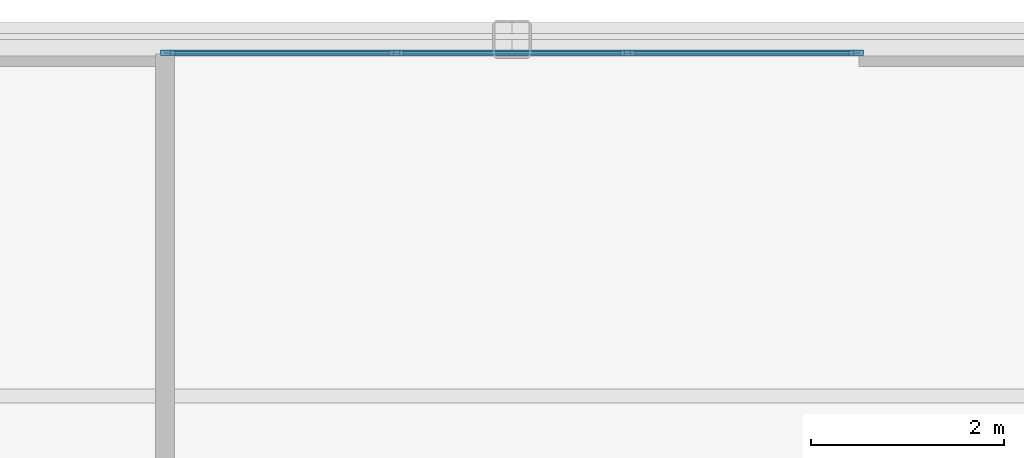
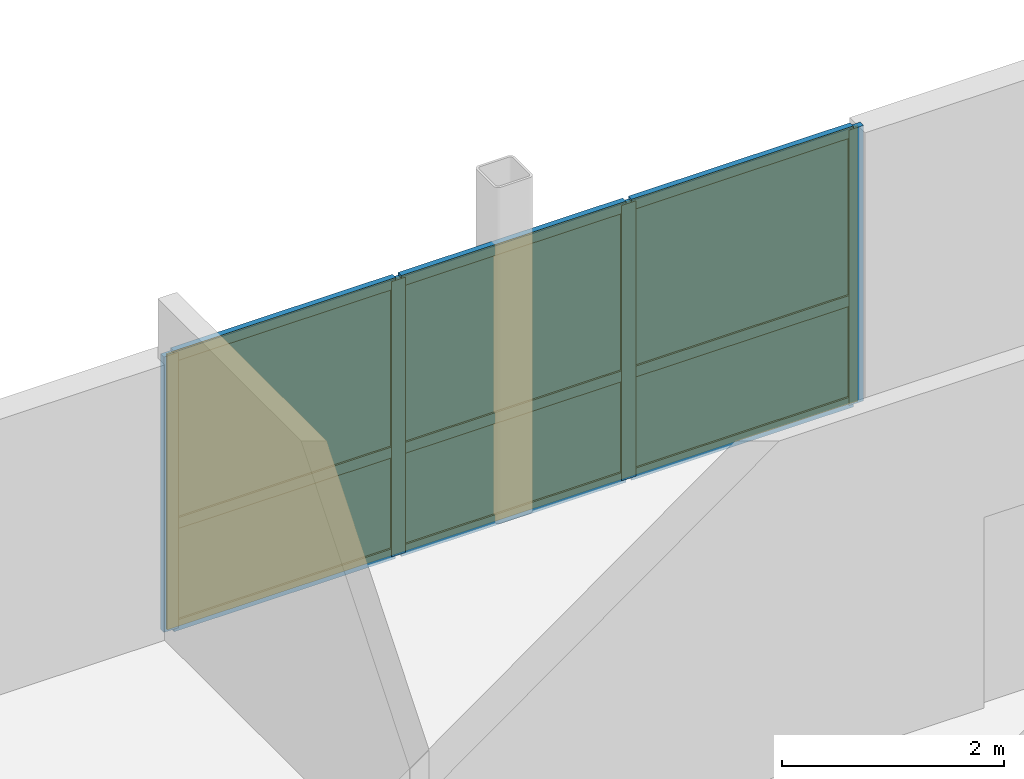
# One storey, part 6 of 10: 13 members, 6 plates, 1 curtain wall.
"""IFC4 building model written with IfcOpenShell, lengths in metres."""

from ifc_helpers import new_model, si_unit, direction, frame, frame_2d, origin, origin_2d, place, context, subcontext, project, spatial, rectangle, extrude, source, transform, mapped, material, layer, layer_set, material_profile, profile_set, type_object, type_shapes, element, aggregate, save


model = new_model("IFC4")

# Units and contexts
model_context = context("Model", 3, precision=1e-05, world=origin(), true_north=direction((0.0, 1.0)))
body_context = subcontext(model_context, "Body", "Model", "MODEL_VIEW")
ifc_project = project(units=[si_unit("LENGTHUNIT", "METRE"), si_unit("AREAUNIT", "SQUARE_METRE"), si_unit("VOLUMEUNIT", "CUBIC_METRE"), si_unit("PLANEANGLEUNIT", "RADIAN"), si_unit("MASSUNIT", "GRAM", prefix="KILO")], contexts=[model_context])

# Member
ifc_material_1 = material(Name="Anodised aluminium 6063-T6", Category="aluminium")
ifc_material_profile_1 = material_profile(ifc_material_1, rectangle(XDim=0.06005859375, YDim=0.14990234375, at=origin_2d()), Name="ALU-MULL-60x150")
ifc_profile_set_1 = profile_set([ifc_material_profile_1], Name="Anodised aluminium 6063-T6")
member_type_1 = type_object("IfcMemberType", Name="CWM-6", PredefinedType="MULLION", material=ifc_profile_set_1)
site_placement = place(None, origin())
building_placement = place(site_placement, origin())
storey_placement = place(building_placement, frame((0.0, 0.0, 299.14990234375)))
member_1_placement = place(storey_placement, frame((-3.570068359375, 16.860107421875, 0.0), z_axis=(0.0, 0.0, 1.0), x_axis=(0.0, 1.0, 0.0)))
member_1 = element("IfcMember", 1, at=member_1_placement, type_object=member_type_1, Name="CWS-6 mullion 1", PredefinedType="MULLION", context=body_context, shape_type="SweptSolid", body=[
    extrude(rectangle(XDim=0.06005859375, YDim=0.14990234375, at=origin_2d()), origin(), (0.0, 0.0, 1.0), 3.03515625),
])

member_2_placement = place(storey_placement, frame((-1.199951171875, 16.860107421875, 0.0), z_axis=(0.0, 0.0, 1.0), x_axis=(0.0, 1.0, 0.0)))
member_2 = element("IfcMember", 2, at=member_2_placement, type_object=member_type_1, Name="CWS-6 mullion 2", PredefinedType="MULLION", context=body_context, shape_type="SweptSolid", body=[
    extrude(rectangle(XDim=0.06005859375, YDim=0.14990234375, at=origin_2d()), origin(), (0.0, 0.0, 1.0), 3.03515625),
])

member_3_placement = place(storey_placement, frame((1.199951171875, 16.860107421875, 0.0), z_axis=(0.0, 0.0, 1.0), x_axis=(0.0, 1.0, 0.0)))
member_3 = element("IfcMember", 3, at=member_3_placement, type_object=member_type_1, Name="CWS-6 mullion 3", PredefinedType="MULLION", context=body_context, shape_type="SweptSolid", body=[
    extrude(rectangle(XDim=0.06005859375, YDim=0.14990234375, at=origin_2d()), origin(), (0.0, 0.0, 1.0), 3.03515625),
])

member_4_placement = place(storey_placement, frame((3.570068359375, 16.860107421875, 0.0), z_axis=(0.0, 0.0, 1.0), x_axis=(0.0, 1.0, 0.0)))
member_4 = element("IfcMember", 4, at=member_4_placement, type_object=member_type_1, Name="CWS-6 mullion 4", PredefinedType="MULLION", context=body_context, shape_type="SweptSolid", body=[
    extrude(rectangle(XDim=0.06005859375, YDim=0.14990234375, at=origin_2d()), origin(), (0.0, 0.0, 1.0), 3.03515625),
])

ifc_material_profile_2 = material_profile(ifc_material_1, rectangle(XDim=0.06005859375, YDim=0.1201171875, at=origin_2d()), Name="ALU-TRAN-60x120")
ifc_profile_set_2 = profile_set([ifc_material_profile_2], Name="Anodised aluminium 6063-T6")
member_type_2 = type_object("IfcMemberType", Name="CWT-6", PredefinedType="USERDEFINED", material=ifc_profile_set_2)
member_5_placement = place(storey_placement, frame((-3.5400390625, 16.860107421875, 0.030029296875), z_axis=(1.0, 0.0, 0.0), x_axis=(0.0, 1.0, 0.0)))
member_5 = element("IfcMember", 5, at=member_5_placement, type_object=member_type_2, Name="CWS-6 transom 1.1", ObjectType="TRANSOM", PredefinedType="USERDEFINED", context=body_context, shape_type="SweptSolid", body=[
    extrude(rectangle(XDim=0.06005859375, YDim=0.1201171875, at=origin_2d()), origin(), (0.0, 0.0, 1.0), 2.31005859375),
])

member_6_placement = place(storey_placement, frame((-3.5400390625, 16.860107421875, 1.1533203125), z_axis=(1.0, 0.0, 0.0), x_axis=(0.0, 1.0, 0.0)))
member_6 = element("IfcMember", 6, at=member_6_placement, type_object=member_type_2, Name="CWS-6 transom 1.2", ObjectType="TRANSOM", PredefinedType="USERDEFINED", context=body_context, shape_type="SweptSolid", body=[
    extrude(rectangle(XDim=0.06005859375, YDim=0.1201171875, at=origin_2d()), origin(), (0.0, 0.0, 1.0), 2.31005859375),
])

member_7_placement = place(storey_placement, frame((-3.5400390625, 16.860107421875, 3.005126953125), z_axis=(1.0, 0.0, 0.0), x_axis=(0.0, 1.0, 0.0)))
member_7 = element("IfcMember", 7, at=member_7_placement, type_object=member_type_2, Name="CWS-6 transom 1.3", ObjectType="TRANSOM", PredefinedType="USERDEFINED", context=body_context, shape_type="SweptSolid", body=[
    extrude(rectangle(XDim=0.06005859375, YDim=0.1201171875, at=origin_2d()), origin(), (0.0, 0.0, 1.0), 2.31005859375),
])

member_8_placement = place(storey_placement, frame((-1.169921875, 16.860107421875, 0.030029296875), z_axis=(1.0, 0.0, 0.0), x_axis=(0.0, 1.0, 0.0)))
member_8 = element("IfcMember", 8, at=member_8_placement, type_object=member_type_2, Name="CWS-6 transom 2.1", ObjectType="TRANSOM", PredefinedType="USERDEFINED", context=body_context, shape_type="SweptSolid", body=[
    extrude(rectangle(XDim=0.06005859375, YDim=0.1201171875, at=origin_2d()), origin(), (0.0, 0.0, 1.0), 2.33984375),
])

member_9_placement = place(storey_placement, frame((-1.169921875, 16.860107421875, 1.1533203125), z_axis=(1.0, 0.0, 0.0), x_axis=(0.0, 1.0, 0.0)))
member_9 = element("IfcMember", 9, at=member_9_placement, type_object=member_type_2, Name="CWS-6 transom 2.2", ObjectType="TRANSOM", PredefinedType="USERDEFINED", context=body_context, shape_type="SweptSolid", body=[
    extrude(rectangle(XDim=0.06005859375, YDim=0.1201171875, at=origin_2d()), origin(), (0.0, 0.0, 1.0), 2.33984375),
])

member_10_placement = place(storey_placement, frame((-1.169921875, 16.860107421875, 3.005126953125), z_axis=(1.0, 0.0, 0.0), x_axis=(0.0, 1.0, 0.0)))
member_10 = element("IfcMember", 10, at=member_10_placement, type_object=member_type_2, Name="CWS-6 transom 2.3", ObjectType="TRANSOM", PredefinedType="USERDEFINED", context=body_context, shape_type="SweptSolid", body=[
    extrude(rectangle(XDim=0.06005859375, YDim=0.1201171875, at=origin_2d()), origin(), (0.0, 0.0, 1.0), 2.33984375),
])

member_11_placement = place(storey_placement, frame((1.22998046875, 16.860107421875, 0.030029296875), z_axis=(1.0, 0.0, 0.0), x_axis=(0.0, 1.0, 0.0)))
member_11 = element("IfcMember", 11, at=member_11_placement, type_object=member_type_2, Name="CWS-6 transom 3.1", ObjectType="TRANSOM", PredefinedType="USERDEFINED", context=body_context, shape_type="SweptSolid", body=[
    extrude(rectangle(XDim=0.06005859375, YDim=0.1201171875, at=origin_2d()), origin(), (0.0, 0.0, 1.0), 2.31005859375),
])

member_12_placement = place(storey_placement, frame((1.22998046875, 16.860107421875, 1.1533203125), z_axis=(1.0, 0.0, 0.0), x_axis=(0.0, 1.0, 0.0)))
member_12 = element("IfcMember", 12, at=member_12_placement, type_object=member_type_2, Name="CWS-6 transom 3.2", ObjectType="TRANSOM", PredefinedType="USERDEFINED", context=body_context, shape_type="SweptSolid", body=[
    extrude(rectangle(XDim=0.06005859375, YDim=0.1201171875, at=origin_2d()), origin(), (0.0, 0.0, 1.0), 2.31005859375),
])

member_13_placement = place(storey_placement, frame((1.22998046875, 16.860107421875, 3.005126953125), z_axis=(1.0, 0.0, 0.0), x_axis=(0.0, 1.0, 0.0)))
member_13 = element("IfcMember", 13, at=member_13_placement, type_object=member_type_2, Name="CWS-6 transom 3.3", ObjectType="TRANSOM", PredefinedType="USERDEFINED", context=body_context, shape_type="SweptSolid", body=[
    extrude(rectangle(XDim=0.06005859375, YDim=0.1201171875, at=origin_2d()), origin(), (0.0, 0.0, 1.0), 2.31005859375),
])

# Plate
ifc_material_2 = material(Name="Insulated solar-control glass", Category="glass")
ifc_layer_1 = layer(ifc_material_2, 0.02392578125, Name="CWP-6")
ifc_layer_set_1 = layer_set([ifc_layer_1], Name="Insulated solar-control glass")
plate_type = type_object("IfcPlateType", Name="CWP-6", PredefinedType="CURTAIN_PANEL", material=ifc_layer_set_1)
shared_shape_1 = source(origin(), body_context, "Body", "SweptSolid", [
    extrude(rectangle(XDim=2.31005859375, YDim=0.02392578125, at=origin_2d()), origin(), (0.0, 0.0, 1.0), 1.063232421875),
])
plate_1_placement = place(storey_placement, frame((-2.385009765625, 16.860107421875, 0.06005859375), z_axis=(0.0, 0.0, 1.0), x_axis=(1.0, 0.0, 0.0)))
plate_1 = element("IfcPlate", 14, at=plate_1_placement, type_object=plate_type, Name="CWS-6 panel 1.1", PredefinedType="CURTAIN_PANEL", context=body_context, shape_type="MappedRepresentation", body=[
    mapped(shared_shape_1, transform((0.0, 0.0, 0.0), scale=1.0)),
])

plate_2_placement = place(storey_placement, frame((2.385009765625, 16.860107421875, 0.06005859375), z_axis=(0.0, 0.0, 1.0), x_axis=(1.0, 0.0, 0.0)))
plate_2 = element("IfcPlate", 15, at=plate_2_placement, type_object=plate_type, Name="CWS-6 panel 3.1", PredefinedType="CURTAIN_PANEL", context=body_context, shape_type="MappedRepresentation", body=[
    mapped(shared_shape_1, transform((0.0, 0.0, 0.0), scale=1.0)),
])

shared_shape_2 = source(origin(), body_context, "Body", "SweptSolid", [
    extrude(rectangle(XDim=2.31005859375, YDim=0.02392578125, at=origin_2d()), origin(), (0.0, 0.0, 1.0), 1.791748046875),
])
plate_3_placement = place(storey_placement, frame((-2.385009765625, 16.860107421875, 1.18359375), z_axis=(0.0, 0.0, 1.0), x_axis=(1.0, 0.0, 0.0)))
plate_3 = element("IfcPlate", 16, at=plate_3_placement, type_object=plate_type, Name="CWS-6 panel 1.2", PredefinedType="CURTAIN_PANEL", context=body_context, shape_type="MappedRepresentation", body=[
    mapped(shared_shape_2, transform((0.0, 0.0, 0.0), scale=1.0)),
])

plate_4_placement = place(storey_placement, frame((2.385009765625, 16.860107421875, 1.18359375), z_axis=(0.0, 0.0, 1.0), x_axis=(1.0, 0.0, 0.0)))
plate_4 = element("IfcPlate", 17, at=plate_4_placement, type_object=plate_type, Name="CWS-6 panel 3.2", PredefinedType="CURTAIN_PANEL", context=body_context, shape_type="MappedRepresentation", body=[
    mapped(shared_shape_2, transform((0.0, 0.0, 0.0), scale=1.0)),
])

shared_shape_3 = source(origin(), body_context, "Body", "SweptSolid", [
    extrude(rectangle(XDim=2.340087890625, YDim=0.02392578125, at=origin_2d()), origin(), (0.0, 0.0, 1.0), 1.063232421875),
])
plate_5_placement = place(storey_placement, frame((0.0, 16.860107421875, 0.06005859375), z_axis=(0.0, 0.0, 1.0), x_axis=(1.0, 0.0, 0.0)))
plate_5 = element("IfcPlate", 18, at=plate_5_placement, type_object=plate_type, Name="CWS-6 panel 2.1", PredefinedType="CURTAIN_PANEL", context=body_context, shape_type="MappedRepresentation", body=[
    mapped(shared_shape_3, transform((0.0, 0.0, 0.0), scale=1.0)),
])

shared_shape_4 = source(origin(), body_context, "Body", "SweptSolid", [
    extrude(rectangle(XDim=2.340087890625, YDim=0.02392578125, at=origin_2d()), origin(), (0.0, 0.0, 1.0), 1.791748046875),
])
type_shapes(plate_type, [shared_shape_1, shared_shape_2, shared_shape_3, shared_shape_4])
plate_6_placement = place(storey_placement, frame((0.0, 16.860107421875, 1.18359375), z_axis=(0.0, 0.0, 1.0), x_axis=(1.0, 0.0, 0.0)))
plate_6 = element("IfcPlate", 19, at=plate_6_placement, type_object=plate_type, Name="CWS-6 panel 2.2", PredefinedType="CURTAIN_PANEL", context=body_context, shape_type="MappedRepresentation", body=[
    mapped(shared_shape_4, transform((0.0, 0.0, 0.0), scale=1.0)),
])

# Site, building, storey
site = spatial("IfcSite", under=ifc_project, at=site_placement, CompositionType="ELEMENT")
building = spatial("IfcBuilding", under=site, at=building_placement, Name="Nuvemarco Arch Tower", CompositionType="ELEMENT")
storey = spatial("IfcBuildingStorey", under=building, at=storey_placement, Name="L79", CompositionType="ELEMENT", Elevation=299.14990234375)

# Curtain wall
ifc_layer_2 = layer(ifc_material_2, 0.14990234375, Name="CW-SYS-6")
ifc_layer_set_2 = layer_set([ifc_layer_2], Name="Insulated solar-control glass")
curtain_wall_type = type_object("IfcCurtainWallType", Name="CW-SYS-6", PredefinedType="NOTDEFINED", material=ifc_layer_set_2)
curtain_wall_placement = place(storey_placement, frame((-3.60009765625, 16.860107421875, 0.0), z_axis=(0.0, 0.0, 1.0), x_axis=(1.0, 0.0, 0.0)))
curtain_wall = element("IfcCurtainWall", 20, at=curtain_wall_placement, inside=storey, type_object=curtain_wall_type, Name="L79 curtain wall CWS-6", PredefinedType="NOTDEFINED", context=body_context, shape_type="SweptSolid", body=[
    extrude(rectangle(XDim=7.2001953125, YDim=0.02001953125, at=frame_2d((3.60009765625, 0.0))), origin(), (0.0, 0.0, 1.0), 3.03515625),
])

aggregate(curtain_wall, [member_1, member_2, member_3, member_4, member_5, member_6, member_7, plate_1, plate_3, member_8, member_9, member_10, plate_5, plate_6, member_11, member_12, member_13, plate_2, plate_4])

save(model, "model.ifc")
